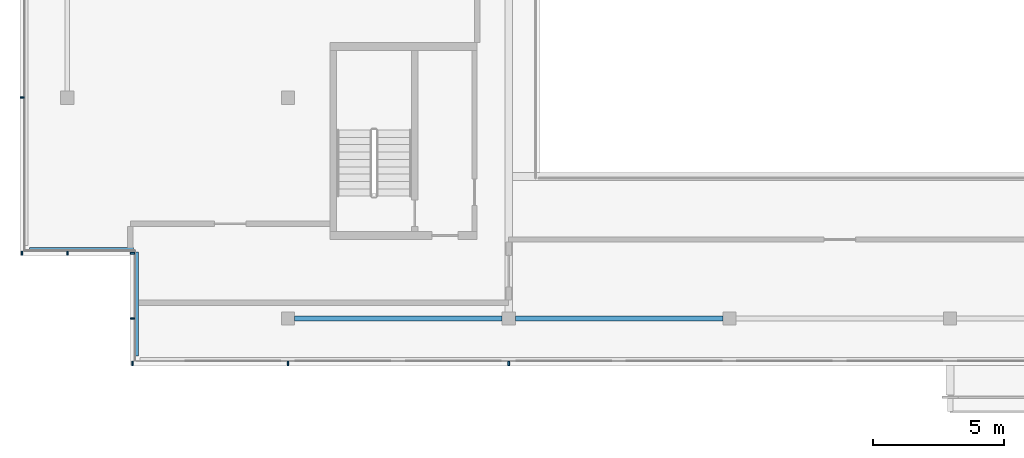
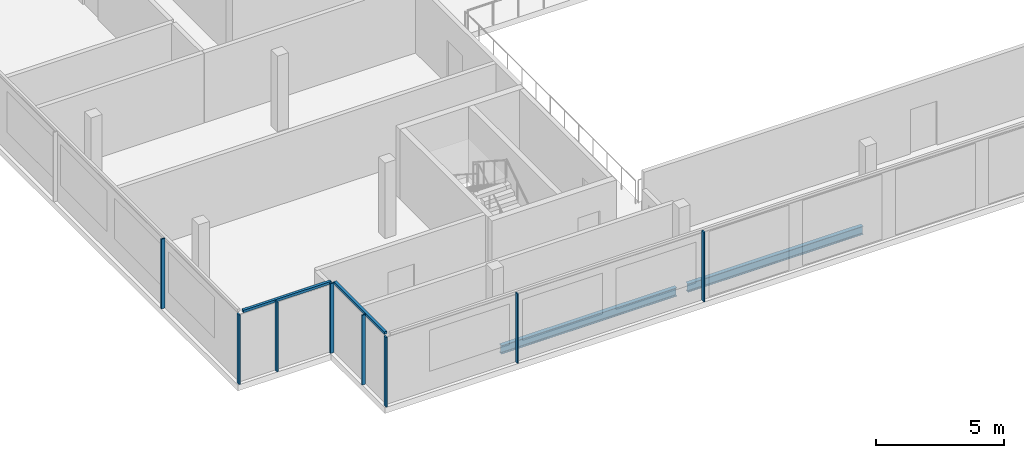
# One storey, part 2 of 21: 10 members, 2 beams, 4 elements without a shape of their own.
"""IFC4 building model written with IfcOpenShell, lengths in metres."""

from ifc_helpers import new_model, si_unit, direction, frame, origin, origin_2d, place, context, subcontext, project, spatial, rectangle, i_section, extrude, material, material_profile, profile_set, type_object, element, aggregate, save


model = new_model("IFC4")

# Units and contexts
model_context = context("Model", 3, precision=1e-05, world=origin(), true_north=direction((0.0, 1.0)))
body_context = subcontext(model_context, "Body", "Model", "MODEL_VIEW")
ifc_project = project(units=[si_unit("LENGTHUNIT", "METRE"), si_unit("AREAUNIT", "SQUARE_METRE"), si_unit("VOLUMEUNIT", "CUBIC_METRE"), si_unit("PLANEANGLEUNIT", "RADIAN"), si_unit("MASSUNIT", "GRAM", prefix="KILO")], contexts=[model_context])

# Site, building, storey
site_placement = place(None, origin())
site = spatial("IfcSite", under=ifc_project, at=site_placement, CompositionType="ELEMENT")
building_placement = place(site_placement, origin())
building = spatial("IfcBuilding", under=site, at=building_placement, Name="Saffron Gate Tower", CompositionType="ELEMENT")
storey_placement = place(building_placement, frame((0.0, 0.0, 299.550048828125)))
storey = spatial("IfcBuildingStorey", under=building, at=storey_placement, Name="L73", CompositionType="ELEMENT", Elevation=299.550048828125)

# Beams
ifc_material_1 = material(Name="Structural steel S355", Category="steel")
ifc_material_profile_1 = material_profile(ifc_material_1, i_section(OverallWidth=0.179931640625, OverallDepth=0.39990234375, WebThickness=0.008544921875, FlangeThickness=0.013427734375, FilletRadius=0.02099609375, at=origin_2d()))
ifc_profile_set_1 = profile_set([ifc_material_profile_1], Name="Structural steel S355")
beam_type = type_object("IfcBeamType", Name="B5 IPE 400", PredefinedType="SPANDREL", material=ifc_profile_set_1)
for number, where, z_axis, x_axis, name in (
    (1, (66.85009765625, 40.199951171875, -0.47998046875), (1.0, 0.0, 0.0), (0.0, 1.0, 0.0), "B5 SPANDREL BEAM"),
    (2, (75.25, 40.199951171875, -0.47998046875), (1.0, 0.0, 0.0), (0.0, 1.0, 0.0), "B5 SPANDREL BEAM"),
):
    element("IfcBeam", number, at=place(storey_placement, frame(where, z_axis=z_axis, x_axis=x_axis)), inside=storey, type_object=beam_type, Name=name, PredefinedType="SPANDREL", context=body_context, shape_type="SweptSolid", body=[
        extrude(i_section(OverallWidth=0.179931640625, OverallDepth=0.39990234375, WebThickness=0.008544921875, FlangeThickness=0.013427734375, FilletRadius=0.02099609375, at=origin_2d()), origin(), (0.0, 0.0, 1.0), 7.89990234375),
    ])

# Curtain wall, members
ifc_material_2 = material(Name="Aluminium, bronze anodised", Category="aluminium")
curtain_wall_type_1 = type_object("IfcCurtainWallType", Name="CWS1 curtain wall front facade", PredefinedType="NOTDEFINED", material=ifc_material_2)
curtain_wall_1_placement = place(storey_placement, origin())
curtain_wall_1 = element("IfcCurtainWall", 3, at=curtain_wall_1_placement, inside=storey, type_object=curtain_wall_type_1, Name="CWS1 run 1", PredefinedType="NOTDEFINED")
ifc_material_profile_2 = material_profile(ifc_material_2, rectangle(XDim=0.159912109375, YDim=0.06005859375, at=origin_2d()))
ifc_profile_set_2 = profile_set([ifc_material_profile_2], Name="Aluminium, bronze anodised")
member_type_1 = type_object("IfcMemberType", Name="CWS1 mullion 60x160", PredefinedType="MULLION", material=ifc_profile_set_2)
member_1_placement = place(storey_placement, frame((60.679931640625, 38.47998046875, 0.0), z_axis=(0.0, 0.0, 1.0), x_axis=(0.0, 1.0, 0.0)))
member_1 = element("IfcMember", 4, at=member_1_placement, type_object=member_type_1, Name="CWS1 mullion 1", PredefinedType="MULLION", context=body_context, shape_type="SweptSolid", body=[
    extrude(rectangle(XDim=0.159912109375, YDim=0.06005859375, at=origin_2d()), origin(), (0.0, 0.0, 1.0), 3.320068359375),
])
member_2_placement = place(storey_placement, frame((66.60009765625, 38.47998046875, 0.0), z_axis=(0.0, 0.0, 1.0), x_axis=(0.0, 1.0, 0.0)))
member_2 = element("IfcMember", 5, at=member_2_placement, type_object=member_type_1, Name="CWS1 mullion 2", PredefinedType="MULLION", context=body_context, shape_type="SweptSolid", body=[
    extrude(rectangle(XDim=0.159912109375, YDim=0.06005859375, at=origin_2d()), origin(), (0.0, 0.0, 1.0), 3.320068359375),
])
member_3_placement = place(storey_placement, frame((75.0, 38.47998046875, 0.0), z_axis=(0.0, 0.0, 1.0), x_axis=(0.0, 1.0, 0.0)))
member_3 = element("IfcMember", 6, at=member_3_placement, type_object=member_type_1, Name="CWS1 mullion 3", PredefinedType="MULLION", context=body_context, shape_type="SweptSolid", body=[
    extrude(rectangle(XDim=0.159912109375, YDim=0.06005859375, at=origin_2d()), origin(), (0.0, 0.0, 1.0), 3.320068359375),
])
aggregate(curtain_wall_1, [member_1, member_2, member_3])

# Curtain wall, member
curtain_wall_type_2 = type_object("IfcCurtainWallType", Name="CWS2 curtain wall side facades", PredefinedType="NOTDEFINED", material=ifc_material_2)
curtain_wall_2_placement = place(storey_placement, origin())
curtain_wall_2 = element("IfcCurtainWall", 7, at=curtain_wall_2_placement, inside=storey, type_object=curtain_wall_type_2, Name="CWS2 run 10", PredefinedType="NOTDEFINED")
ifc_material_profile_3 = material_profile(ifc_material_2, rectangle(XDim=0.159912109375, YDim=0.06005859375, at=origin_2d()))
ifc_profile_set_3 = profile_set([ifc_material_profile_3], Name="Aluminium, bronze anodised")
member_type_2 = type_object("IfcMemberType", Name="CWS2 mullion 60x160", PredefinedType="MULLION", material=ifc_profile_set_3)
member_4_placement = place(storey_placement, frame((56.47998046875, 48.60009765625, 0.0), z_axis=(0.0, 0.0, 1.0), x_axis=(1.0, 0.0, 0.0)))
member_4 = element("IfcMember", 8, at=member_4_placement, type_object=member_type_2, Name="CWS2 mullion 4", PredefinedType="MULLION", context=body_context, shape_type="SweptSolid", body=[
    extrude(rectangle(XDim=0.159912109375, YDim=0.06005859375, at=origin_2d()), origin(), (0.0, 0.0, 1.0), 3.320068359375),
])
aggregate(curtain_wall_2, [member_4])

curtain_wall_type_3 = type_object("IfcCurtainWallType", Name="CWS4 curtain wall corner returns", PredefinedType="NOTDEFINED", material=ifc_material_2)
curtain_wall_3_placement = place(storey_placement, origin())
curtain_wall_3 = element("IfcCurtainWall", 9, at=curtain_wall_3_placement, inside=storey, type_object=curtain_wall_type_3, Name="CWS4 run 11", PredefinedType="NOTDEFINED")
ifc_material_profile_4 = material_profile(ifc_material_2, rectangle(XDim=0.1201171875, YDim=0.1201171875, at=origin_2d()))
ifc_profile_set_4 = profile_set([ifc_material_profile_4], Name="Aluminium, bronze anodised")
member_type_3 = type_object("IfcMemberType", Name="CWS4 head transom", PredefinedType="USERDEFINED", material=ifc_profile_set_4)
member_5_placement = place(storey_placement, frame((56.76806640625, 42.847900390625, 3.260009765625), z_axis=(1.0, 0.0, 0.0), x_axis=(0.0, 1.0, 0.0)))
member_5 = element("IfcMember", 10, at=member_5_placement, type_object=member_type_3, Name="CWS4 head transom", ObjectType="TRANSOM", PredefinedType="USERDEFINED", context=body_context, shape_type="SweptSolid", body=[
    extrude(rectangle(XDim=0.1201171875, YDim=0.1201171875, at=origin_2d()), origin(), (0.0, 0.0, 1.0), 3.9599609375),
])

curtain_wall_4_placement = place(storey_placement, origin())
curtain_wall_4 = element("IfcCurtainWall", 11, at=curtain_wall_4_placement, inside=storey, type_object=curtain_wall_type_3, Name="CWS4 run 12", PredefinedType="NOTDEFINED")
member_6_placement = place(storey_placement, frame((60.847900390625, 42.72802734375, 3.260009765625), z_axis=(0.0, -1.0, 0.0), x_axis=(1.0, 0.0, 0.0)))
member_6 = element("IfcMember", 12, at=member_6_placement, type_object=member_type_3, Name="CWS4 head transom", ObjectType="TRANSOM", PredefinedType="USERDEFINED", context=body_context, shape_type="SweptSolid", body=[
    extrude(rectangle(XDim=0.1201171875, YDim=0.1201171875, at=origin_2d()), origin(), (0.0, 0.0, 1.0), 3.9599609375),
])

# Member
ifc_material_profile_5 = material_profile(ifc_material_2, rectangle(XDim=0.159912109375, YDim=0.06005859375, at=origin_2d()))
ifc_profile_set_5 = profile_set([ifc_material_profile_5], Name="Aluminium, bronze anodised")
member_type_4 = type_object("IfcMemberType", Name="CWS4 mullion 60x160", PredefinedType="MULLION", material=ifc_profile_set_5)
member_7_placement = place(storey_placement, frame((56.47998046875, 42.679931640625, 0.0), z_axis=(0.0, 0.0, 1.0), x_axis=(0.0, 1.0, 0.0)))
member_7 = element("IfcMember", 13, at=member_7_placement, type_object=member_type_4, Name="CWS4 mullion 1", PredefinedType="MULLION", context=body_context, shape_type="SweptSolid", body=[
    extrude(rectangle(XDim=0.159912109375, YDim=0.06005859375, at=origin_2d()), origin(), (0.0, 0.0, 1.0), 3.320068359375),
])

member_8_placement = place(storey_placement, frame((58.199951171875, 42.679931640625, 0.0), z_axis=(0.0, 0.0, 1.0), x_axis=(0.0, 1.0, 0.0)))
member_8 = element("IfcMember", 14, at=member_8_placement, type_object=member_type_4, Name="CWS4 mullion 2", PredefinedType="MULLION", context=body_context, shape_type="SweptSolid", body=[
    extrude(rectangle(XDim=0.159912109375, YDim=0.06005859375, at=origin_2d()), origin(), (0.0, 0.0, 1.0), 3.320068359375),
])

aggregate(curtain_wall_3, [member_7, member_8, member_5])

member_9_placement = place(storey_placement, frame((60.679931640625, 42.679931640625, 0.0), z_axis=(0.0, 0.0, 1.0), x_axis=(1.0, 0.0, 0.0)))
member_9 = element("IfcMember", 15, at=member_9_placement, type_object=member_type_4, Name="CWS4 mullion 1", PredefinedType="MULLION", context=body_context, shape_type="SweptSolid", body=[
    extrude(rectangle(XDim=0.159912109375, YDim=0.06005859375, at=origin_2d()), origin(), (0.0, 0.0, 1.0), 3.320068359375),
])

member_10_placement = place(storey_placement, frame((60.679931640625, 40.199951171875, 0.0), z_axis=(0.0, 0.0, 1.0), x_axis=(1.0, 0.0, 0.0)))
member_10 = element("IfcMember", 16, at=member_10_placement, type_object=member_type_4, Name="CWS4 mullion 2", PredefinedType="MULLION", context=body_context, shape_type="SweptSolid", body=[
    extrude(rectangle(XDim=0.159912109375, YDim=0.06005859375, at=origin_2d()), origin(), (0.0, 0.0, 1.0), 3.320068359375),
])

aggregate(curtain_wall_4, [member_9, member_10, member_6])

save(model, "model.ifc")
